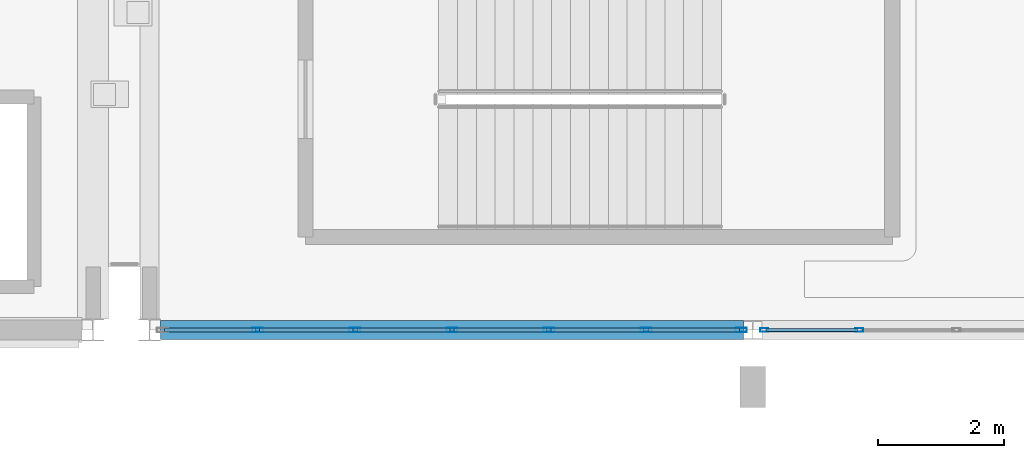
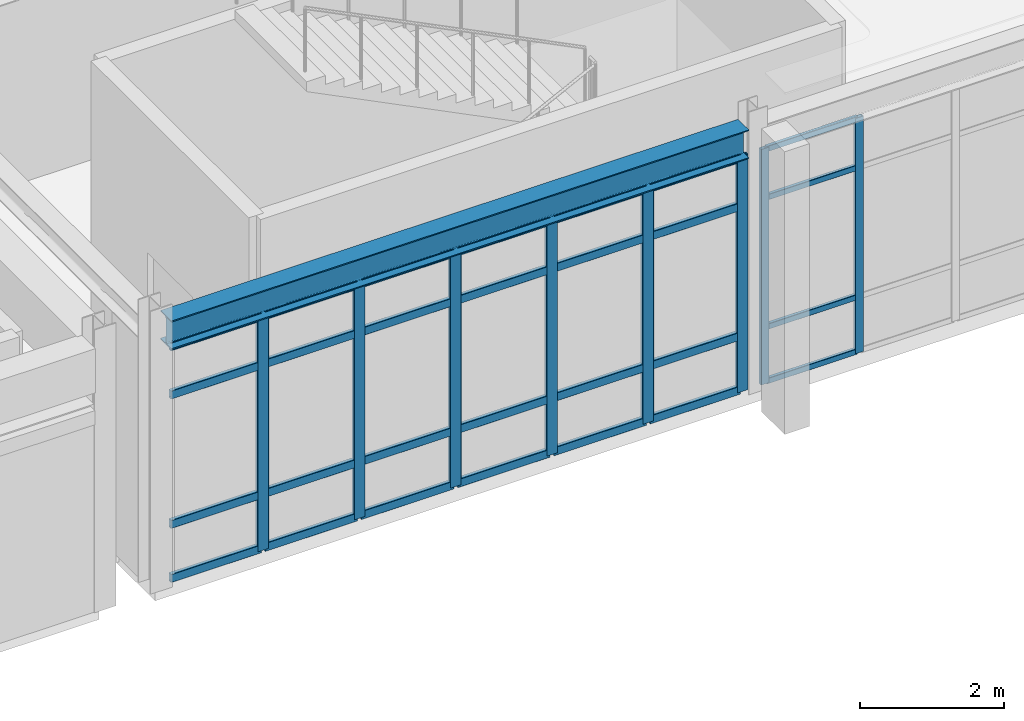
# One storey, part 30 of 139: 36 members, 1 beam, 2 elements without a shape of their own.
"""IFC4 building model written with IfcOpenShell, lengths in metres."""

from ifc_helpers import new_model, si_unit, direction, frame, origin, origin_2d, place, context, subcontext, project, spatial, hollow_rectangle, i_section, extrude, material, material_profile, profile_set, type_object, element, aggregate, save


model = new_model("IFC4")

# Units and contexts
model_context = context("Model", 3, precision=1e-05, world=origin(), true_north=direction((0.0, 1.0)))
body_context = subcontext(model_context, "Body", "Model", "MODEL_VIEW")
ifc_project = project(units=[si_unit("LENGTHUNIT", "METRE"), si_unit("AREAUNIT", "SQUARE_METRE"), si_unit("VOLUMEUNIT", "CUBIC_METRE"), si_unit("PLANEANGLEUNIT", "RADIAN"), si_unit("MASSUNIT", "GRAM", prefix="KILO")], contexts=[model_context])

# Site, building, storey
site_placement = place(None, origin())
site = spatial("IfcSite", under=ifc_project, at=site_placement, CompositionType="ELEMENT")
building_placement = place(site_placement, origin())
building = spatial("IfcBuilding", under=site, at=building_placement, Name="Canglan Escarpment Cableway Terminal", CompositionType="ELEMENT")
storey_placement = place(building_placement, frame((0.0, 0.0, 14.39990234375)))
storey = spatial("IfcBuildingStorey", under=building, at=storey_placement, Name="L03", CompositionType="ELEMENT", Elevation=14.39990234375)

# Beam
ifc_material_1 = material(Name="Steel Q355B", Category="steel")
ifc_material_profile_1 = material_profile(ifc_material_1, i_section(OverallWidth=0.300048828125, OverallDepth=0.488037109375, WebThickness=0.010986328125, FlangeThickness=0.01806640625, FilletRadius=0.02587890625, at=origin_2d()), Name="HM 488x300x11x18")
ifc_profile_set_1 = profile_set([ifc_material_profile_1], Name="Steel Q355B")
beam_type = type_object("IfcBeamType", Name="BM-HM488", PredefinedType="BEAM", material=ifc_profile_set_1)
beam_placement = place(storey_placement, frame((147.375, 8.0, 4.256103515625), z_axis=(1.0, 0.0, 0.0), x_axis=(0.0, 1.0, 0.0)))
element("IfcBeam", 1, at=beam_placement, inside=storey, type_object=beam_type, Name="Primary structural girder B-09", PredefinedType="BEAM", context=body_context, shape_type="SweptSolid", body=[
    extrude(i_section(OverallWidth=0.300048828125, OverallDepth=0.488037109375, WebThickness=0.010986328125, FlangeThickness=0.01806640625, FilletRadius=0.02587890625, at=origin_2d()), origin(), (0.0, 0.0, 1.0), 9.27490234375),
])

# Curtain wall, members
ifc_material_2 = material(Name="Anodized bronze aluminium and Low-E double glazing", Category="aluminium")
curtain_wall_type = type_object("IfcCurtainWallType", Name="CW-BAY-9275x4000", PredefinedType="NOTDEFINED", material=ifc_material_2)
curtain_wall_1_placement = place(storey_placement, origin())
curtain_wall_1 = element("IfcCurtainWall", 2, at=curtain_wall_1_placement, inside=storey, type_object=curtain_wall_type, Name="Classical bay-between-piers glazed curtain wall CW-29", PredefinedType="NOTDEFINED")
ifc_material_3 = material(Name="Thermally broken anodized aluminium 6063-T6", Category="aluminium")
ifc_material_profile_2 = material_profile(ifc_material_3, hollow_rectangle(XDim=0.06005859375, YDim=0.1298828125, WallThickness=0.0029296875, InnerFilletRadius=0.0029296875, OuterFilletRadius=0.006103515625, at=origin_2d()), Name="ALU-MULL 60x130x3")
ifc_profile_set_2 = profile_set([ifc_material_profile_2], Name="Thermally broken anodized aluminium 6063-T6")
member_type_1 = type_object("IfcMemberType", Name="CWM-01", PredefinedType="MULLION", material=ifc_profile_set_2)
member_1_placement = place(storey_placement, frame((156.97998046875, 8.0, 0.0), z_axis=(0.0, 0.0, 1.0), x_axis=(0.0, 1.0, 0.0)))
member_1 = element("IfcMember", 3, at=member_1_placement, type_object=member_type_1, Name="CW-29 mullion 1", PredefinedType="MULLION", context=body_context, shape_type="SweptSolid", body=[
    extrude(hollow_rectangle(XDim=0.06005859375, YDim=0.1298828125, WallThickness=0.0029296875, InnerFilletRadius=0.0029296875, OuterFilletRadius=0.006103515625, at=origin_2d()), origin(), (0.0, 0.0, 1.0), 3.9970703125),
])
member_2_placement = place(storey_placement, frame((158.495849609375, 8.0, 0.0), z_axis=(0.0, 0.0, 1.0), x_axis=(0.0, 1.0, 0.0)))
member_2 = element("IfcMember", 4, at=member_2_placement, type_object=member_type_1, Name="CW-29 mullion 2", PredefinedType="MULLION", context=body_context, shape_type="SweptSolid", body=[
    extrude(hollow_rectangle(XDim=0.06005859375, YDim=0.1298828125, WallThickness=0.0029296875, InnerFilletRadius=0.0029296875, OuterFilletRadius=0.006103515625, at=origin_2d()), origin(), (0.0, 0.0, 1.0), 3.9970703125),
])

curtain_wall_2_placement = place(storey_placement, origin())
curtain_wall_2 = element("IfcCurtainWall", 5, at=curtain_wall_2_placement, inside=storey, type_object=curtain_wall_type, Name="Classical bay-between-piers glazed curtain wall CW-29", PredefinedType="NOTDEFINED")
ifc_material_profile_3 = material_profile(ifc_material_3, hollow_rectangle(XDim=0.06494140625, YDim=0.179931640625, WallThickness=0.00390625, InnerFilletRadius=0.00390625, OuterFilletRadius=0.008056640625, at=origin_2d()), Name="ALU-MULL 65x180x4")
ifc_profile_set_3 = profile_set([ifc_material_profile_3], Name="Thermally broken anodized aluminium 6063-T6")
member_type_2 = type_object("IfcMemberType", Name="CWM-03", PredefinedType="MULLION", material=ifc_profile_set_3)
member_3_placement = place(storey_placement, frame((148.9208984375, 8.0, 0.0), z_axis=(0.0, 0.0, 1.0), x_axis=(0.0, 1.0, 0.0)))
member_3 = element("IfcMember", 6, at=member_3_placement, type_object=member_type_2, Name="CW-29 mullion 2", PredefinedType="MULLION", context=body_context, shape_type="SweptSolid", body=[
    extrude(hollow_rectangle(XDim=0.06494140625, YDim=0.179931640625, WallThickness=0.00390625, InnerFilletRadius=0.00390625, OuterFilletRadius=0.008056640625, at=origin_2d()), origin(), (0.0, 0.0, 1.0), 3.9970703125),
])
member_4_placement = place(storey_placement, frame((150.466552734375, 8.0, 0.0), z_axis=(0.0, 0.0, 1.0), x_axis=(0.0, 1.0, 0.0)))
member_4 = element("IfcMember", 7, at=member_4_placement, type_object=member_type_2, Name="CW-29 mullion 3", PredefinedType="MULLION", context=body_context, shape_type="SweptSolid", body=[
    extrude(hollow_rectangle(XDim=0.06494140625, YDim=0.179931640625, WallThickness=0.00390625, InnerFilletRadius=0.00390625, OuterFilletRadius=0.008056640625, at=origin_2d()), origin(), (0.0, 0.0, 1.0), 3.9970703125),
])
member_5_placement = place(storey_placement, frame((152.012451171875, 8.0, 0.0), z_axis=(0.0, 0.0, 1.0), x_axis=(0.0, 1.0, 0.0)))
member_5 = element("IfcMember", 8, at=member_5_placement, type_object=member_type_2, Name="CW-29 mullion 4", PredefinedType="MULLION", context=body_context, shape_type="SweptSolid", body=[
    extrude(hollow_rectangle(XDim=0.06494140625, YDim=0.179931640625, WallThickness=0.00390625, InnerFilletRadius=0.00390625, OuterFilletRadius=0.008056640625, at=origin_2d()), origin(), (0.0, 0.0, 1.0), 3.9970703125),
])
member_6_placement = place(storey_placement, frame((153.558349609375, 8.0, 0.0), z_axis=(0.0, 0.0, 1.0), x_axis=(0.0, 1.0, 0.0)))
member_6 = element("IfcMember", 9, at=member_6_placement, type_object=member_type_2, Name="CW-29 mullion 5", PredefinedType="MULLION", context=body_context, shape_type="SweptSolid", body=[
    extrude(hollow_rectangle(XDim=0.06494140625, YDim=0.179931640625, WallThickness=0.00390625, InnerFilletRadius=0.00390625, OuterFilletRadius=0.008056640625, at=origin_2d()), origin(), (0.0, 0.0, 1.0), 3.9970703125),
])
member_7_placement = place(storey_placement, frame((155.104248046875, 8.0, 0.0), z_axis=(0.0, 0.0, 1.0), x_axis=(0.0, 1.0, 0.0)))
member_7 = element("IfcMember", 10, at=member_7_placement, type_object=member_type_2, Name="CW-29 mullion 6", PredefinedType="MULLION", context=body_context, shape_type="SweptSolid", body=[
    extrude(hollow_rectangle(XDim=0.06494140625, YDim=0.179931640625, WallThickness=0.00390625, InnerFilletRadius=0.00390625, OuterFilletRadius=0.008056640625, at=origin_2d()), origin(), (0.0, 0.0, 1.0), 3.9970703125),
])
member_8_placement = place(storey_placement, frame((156.617431640625, 8.0, 0.0), z_axis=(0.0, 0.0, 1.0), x_axis=(0.0, 1.0, 0.0)))
member_8 = element("IfcMember", 11, at=member_8_placement, type_object=member_type_2, Name="CW-29 mullion 7", PredefinedType="MULLION", context=body_context, shape_type="SweptSolid", body=[
    extrude(hollow_rectangle(XDim=0.06494140625, YDim=0.179931640625, WallThickness=0.00390625, InnerFilletRadius=0.00390625, OuterFilletRadius=0.008056640625, at=origin_2d()), origin(), (0.0, 0.0, 1.0), 3.9970703125),
])

# Member
ifc_material_profile_4 = material_profile(ifc_material_3, hollow_rectangle(XDim=0.054931640625, YDim=0.094970703125, WallThickness=0.0029296875, InnerFilletRadius=0.0029296875, OuterFilletRadius=0.006103515625, at=origin_2d()), Name="ALU-TRAN 55x95x3")
ifc_profile_set_4 = profile_set([ifc_material_profile_4], Name="Thermally broken anodized aluminium 6063-T6")
member_type_3 = type_object("IfcMemberType", Name="CWT-01", PredefinedType="USERDEFINED", material=ifc_profile_set_4)
member_9_placement = place(storey_placement, frame((157.010009765625, 8.0, 0.027587890625), z_axis=(1.0, 0.0, 0.0), x_axis=(0.0, 1.0, 0.0)))
member_9 = element("IfcMember", 12, at=member_9_placement, type_object=member_type_3, Name="CW-29 transom 1.1", ObjectType="TRANSOM", PredefinedType="USERDEFINED", context=body_context, shape_type="SweptSolid", body=[
    extrude(hollow_rectangle(XDim=0.054931640625, YDim=0.094970703125, WallThickness=0.0029296875, InnerFilletRadius=0.0029296875, OuterFilletRadius=0.006103515625, at=origin_2d()), origin(), (0.0, 0.0, 1.0), 1.455810546875),
])

member_10_placement = place(storey_placement, frame((157.010009765625, 8.0, 0.9501953125), z_axis=(1.0, 0.0, 0.0), x_axis=(0.0, 1.0, 0.0)))
member_10 = element("IfcMember", 13, at=member_10_placement, type_object=member_type_3, Name="CW-29 transom 1.2", ObjectType="TRANSOM", PredefinedType="USERDEFINED", context=body_context, shape_type="SweptSolid", body=[
    extrude(hollow_rectangle(XDim=0.054931640625, YDim=0.094970703125, WallThickness=0.0029296875, InnerFilletRadius=0.0029296875, OuterFilletRadius=0.006103515625, at=origin_2d()), origin(), (0.0, 0.0, 1.0), 1.455810546875),
])

member_11_placement = place(storey_placement, frame((157.010009765625, 8.0, 3.147216796875), z_axis=(1.0, 0.0, 0.0), x_axis=(0.0, 1.0, 0.0)))
member_11 = element("IfcMember", 14, at=member_11_placement, type_object=member_type_3, Name="CW-29 transom 1.3", ObjectType="TRANSOM", PredefinedType="USERDEFINED", context=body_context, shape_type="SweptSolid", body=[
    extrude(hollow_rectangle(XDim=0.054931640625, YDim=0.094970703125, WallThickness=0.0029296875, InnerFilletRadius=0.0029296875, OuterFilletRadius=0.006103515625, at=origin_2d()), origin(), (0.0, 0.0, 1.0), 1.455810546875),
])

member_12_placement = place(storey_placement, frame((157.010009765625, 8.0, 3.969482421875), z_axis=(1.0, 0.0, 0.0), x_axis=(0.0, 1.0, 0.0)))
member_12 = element("IfcMember", 15, at=member_12_placement, type_object=member_type_3, Name="CW-29 transom 1.4", ObjectType="TRANSOM", PredefinedType="USERDEFINED", context=body_context, shape_type="SweptSolid", body=[
    extrude(hollow_rectangle(XDim=0.054931640625, YDim=0.094970703125, WallThickness=0.0029296875, InnerFilletRadius=0.0029296875, OuterFilletRadius=0.006103515625, at=origin_2d()), origin(), (0.0, 0.0, 1.0), 1.455810546875),
])

aggregate(curtain_wall_1, [member_1, member_2, member_9, member_10, member_11, member_12])

ifc_material_profile_5 = material_profile(ifc_material_3, hollow_rectangle(XDim=0.06494140625, YDim=0.139892578125, WallThickness=0.00341796875, InnerFilletRadius=0.00341796875, OuterFilletRadius=0.007080078125, at=origin_2d()), Name="ALU-TRAN 65x140x3.5")
ifc_profile_set_5 = profile_set([ifc_material_profile_5], Name="Thermally broken anodized aluminium 6063-T6")
member_type_4 = type_object("IfcMemberType", Name="CWT-03", PredefinedType="USERDEFINED", material=ifc_profile_set_5)
member_13_placement = place(storey_placement, frame((147.43994140625, 8.0, 0.03271484375), z_axis=(1.0, 0.0, 0.0), x_axis=(0.0, 1.0, 0.0)))
member_13 = element("IfcMember", 16, at=member_13_placement, type_object=member_type_4, Name="CW-29 transom 1.1", ObjectType="TRANSOM", PredefinedType="USERDEFINED", context=body_context, shape_type="SweptSolid", body=[
    extrude(hollow_rectangle(XDim=0.06494140625, YDim=0.139892578125, WallThickness=0.00341796875, InnerFilletRadius=0.00341796875, OuterFilletRadius=0.007080078125, at=origin_2d()), origin(), (0.0, 0.0, 1.0), 1.448486328125),
])

member_14_placement = place(storey_placement, frame((147.43994140625, 8.0, 0.9501953125), z_axis=(1.0, 0.0, 0.0), x_axis=(0.0, 1.0, 0.0)))
member_14 = element("IfcMember", 17, at=member_14_placement, type_object=member_type_4, Name="CW-29 transom 1.2", ObjectType="TRANSOM", PredefinedType="USERDEFINED", context=body_context, shape_type="SweptSolid", body=[
    extrude(hollow_rectangle(XDim=0.06494140625, YDim=0.139892578125, WallThickness=0.00341796875, InnerFilletRadius=0.00341796875, OuterFilletRadius=0.007080078125, at=origin_2d()), origin(), (0.0, 0.0, 1.0), 1.448486328125),
])

member_15_placement = place(storey_placement, frame((147.43994140625, 8.0, 3.147216796875), z_axis=(1.0, 0.0, 0.0), x_axis=(0.0, 1.0, 0.0)))
member_15 = element("IfcMember", 18, at=member_15_placement, type_object=member_type_4, Name="CW-29 transom 1.3", ObjectType="TRANSOM", PredefinedType="USERDEFINED", context=body_context, shape_type="SweptSolid", body=[
    extrude(hollow_rectangle(XDim=0.06494140625, YDim=0.139892578125, WallThickness=0.00341796875, InnerFilletRadius=0.00341796875, OuterFilletRadius=0.007080078125, at=origin_2d()), origin(), (0.0, 0.0, 1.0), 1.448486328125),
])

member_16_placement = place(storey_placement, frame((147.43994140625, 8.0, 3.964599609375), z_axis=(1.0, 0.0, 0.0), x_axis=(0.0, 1.0, 0.0)))
member_16 = element("IfcMember", 19, at=member_16_placement, type_object=member_type_4, Name="CW-29 transom 1.4", ObjectType="TRANSOM", PredefinedType="USERDEFINED", context=body_context, shape_type="SweptSolid", body=[
    extrude(hollow_rectangle(XDim=0.06494140625, YDim=0.139892578125, WallThickness=0.00341796875, InnerFilletRadius=0.00341796875, OuterFilletRadius=0.007080078125, at=origin_2d()), origin(), (0.0, 0.0, 1.0), 1.448486328125),
])

member_17_placement = place(storey_placement, frame((148.953369140625, 8.0, 0.03271484375), z_axis=(1.0, 0.0, 0.0), x_axis=(0.0, 1.0, 0.0)))
member_17 = element("IfcMember", 20, at=member_17_placement, type_object=member_type_4, Name="CW-29 transom 2.1", ObjectType="TRANSOM", PredefinedType="USERDEFINED", context=body_context, shape_type="SweptSolid", body=[
    extrude(hollow_rectangle(XDim=0.06494140625, YDim=0.139892578125, WallThickness=0.00341796875, InnerFilletRadius=0.00341796875, OuterFilletRadius=0.007080078125, at=origin_2d()), origin(), (0.0, 0.0, 1.0), 1.480712890625),
])

member_18_placement = place(storey_placement, frame((148.953369140625, 8.0, 0.9501953125), z_axis=(1.0, 0.0, 0.0), x_axis=(0.0, 1.0, 0.0)))
member_18 = element("IfcMember", 21, at=member_18_placement, type_object=member_type_4, Name="CW-29 transom 2.2", ObjectType="TRANSOM", PredefinedType="USERDEFINED", context=body_context, shape_type="SweptSolid", body=[
    extrude(hollow_rectangle(XDim=0.06494140625, YDim=0.139892578125, WallThickness=0.00341796875, InnerFilletRadius=0.00341796875, OuterFilletRadius=0.007080078125, at=origin_2d()), origin(), (0.0, 0.0, 1.0), 1.480712890625),
])

member_19_placement = place(storey_placement, frame((148.953369140625, 8.0, 3.147216796875), z_axis=(1.0, 0.0, 0.0), x_axis=(0.0, 1.0, 0.0)))
member_19 = element("IfcMember", 22, at=member_19_placement, type_object=member_type_4, Name="CW-29 transom 2.3", ObjectType="TRANSOM", PredefinedType="USERDEFINED", context=body_context, shape_type="SweptSolid", body=[
    extrude(hollow_rectangle(XDim=0.06494140625, YDim=0.139892578125, WallThickness=0.00341796875, InnerFilletRadius=0.00341796875, OuterFilletRadius=0.007080078125, at=origin_2d()), origin(), (0.0, 0.0, 1.0), 1.480712890625),
])

member_20_placement = place(storey_placement, frame((148.953369140625, 8.0, 3.964599609375), z_axis=(1.0, 0.0, 0.0), x_axis=(0.0, 1.0, 0.0)))
member_20 = element("IfcMember", 23, at=member_20_placement, type_object=member_type_4, Name="CW-29 transom 2.4", ObjectType="TRANSOM", PredefinedType="USERDEFINED", context=body_context, shape_type="SweptSolid", body=[
    extrude(hollow_rectangle(XDim=0.06494140625, YDim=0.139892578125, WallThickness=0.00341796875, InnerFilletRadius=0.00341796875, OuterFilletRadius=0.007080078125, at=origin_2d()), origin(), (0.0, 0.0, 1.0), 1.480712890625),
])

member_21_placement = place(storey_placement, frame((150.499267578125, 8.0, 0.03271484375), z_axis=(1.0, 0.0, 0.0), x_axis=(0.0, 1.0, 0.0)))
member_21 = element("IfcMember", 24, at=member_21_placement, type_object=member_type_4, Name="CW-29 transom 3.1", ObjectType="TRANSOM", PredefinedType="USERDEFINED", context=body_context, shape_type="SweptSolid", body=[
    extrude(hollow_rectangle(XDim=0.06494140625, YDim=0.139892578125, WallThickness=0.00341796875, InnerFilletRadius=0.00341796875, OuterFilletRadius=0.007080078125, at=origin_2d()), origin(), (0.0, 0.0, 1.0), 1.480712890625),
])

member_22_placement = place(storey_placement, frame((150.499267578125, 8.0, 0.9501953125), z_axis=(1.0, 0.0, 0.0), x_axis=(0.0, 1.0, 0.0)))
member_22 = element("IfcMember", 25, at=member_22_placement, type_object=member_type_4, Name="CW-29 transom 3.2", ObjectType="TRANSOM", PredefinedType="USERDEFINED", context=body_context, shape_type="SweptSolid", body=[
    extrude(hollow_rectangle(XDim=0.06494140625, YDim=0.139892578125, WallThickness=0.00341796875, InnerFilletRadius=0.00341796875, OuterFilletRadius=0.007080078125, at=origin_2d()), origin(), (0.0, 0.0, 1.0), 1.480712890625),
])

member_23_placement = place(storey_placement, frame((150.499267578125, 8.0, 3.147216796875), z_axis=(1.0, 0.0, 0.0), x_axis=(0.0, 1.0, 0.0)))
member_23 = element("IfcMember", 26, at=member_23_placement, type_object=member_type_4, Name="CW-29 transom 3.3", ObjectType="TRANSOM", PredefinedType="USERDEFINED", context=body_context, shape_type="SweptSolid", body=[
    extrude(hollow_rectangle(XDim=0.06494140625, YDim=0.139892578125, WallThickness=0.00341796875, InnerFilletRadius=0.00341796875, OuterFilletRadius=0.007080078125, at=origin_2d()), origin(), (0.0, 0.0, 1.0), 1.480712890625),
])

member_24_placement = place(storey_placement, frame((150.499267578125, 8.0, 3.964599609375), z_axis=(1.0, 0.0, 0.0), x_axis=(0.0, 1.0, 0.0)))
member_24 = element("IfcMember", 27, at=member_24_placement, type_object=member_type_4, Name="CW-29 transom 3.4", ObjectType="TRANSOM", PredefinedType="USERDEFINED", context=body_context, shape_type="SweptSolid", body=[
    extrude(hollow_rectangle(XDim=0.06494140625, YDim=0.139892578125, WallThickness=0.00341796875, InnerFilletRadius=0.00341796875, OuterFilletRadius=0.007080078125, at=origin_2d()), origin(), (0.0, 0.0, 1.0), 1.480712890625),
])

member_25_placement = place(storey_placement, frame((152.044921875, 8.0, 0.03271484375), z_axis=(1.0, 0.0, 0.0), x_axis=(0.0, 1.0, 0.0)))
member_25 = element("IfcMember", 28, at=member_25_placement, type_object=member_type_4, Name="CW-29 transom 4.1", ObjectType="TRANSOM", PredefinedType="USERDEFINED", context=body_context, shape_type="SweptSolid", body=[
    extrude(hollow_rectangle(XDim=0.06494140625, YDim=0.139892578125, WallThickness=0.00341796875, InnerFilletRadius=0.00341796875, OuterFilletRadius=0.007080078125, at=origin_2d()), origin(), (0.0, 0.0, 1.0), 1.48095703125),
])

member_26_placement = place(storey_placement, frame((152.044921875, 8.0, 0.9501953125), z_axis=(1.0, 0.0, 0.0), x_axis=(0.0, 1.0, 0.0)))
member_26 = element("IfcMember", 29, at=member_26_placement, type_object=member_type_4, Name="CW-29 transom 4.2", ObjectType="TRANSOM", PredefinedType="USERDEFINED", context=body_context, shape_type="SweptSolid", body=[
    extrude(hollow_rectangle(XDim=0.06494140625, YDim=0.139892578125, WallThickness=0.00341796875, InnerFilletRadius=0.00341796875, OuterFilletRadius=0.007080078125, at=origin_2d()), origin(), (0.0, 0.0, 1.0), 1.48095703125),
])

member_27_placement = place(storey_placement, frame((152.044921875, 8.0, 3.147216796875), z_axis=(1.0, 0.0, 0.0), x_axis=(0.0, 1.0, 0.0)))
member_27 = element("IfcMember", 30, at=member_27_placement, type_object=member_type_4, Name="CW-29 transom 4.3", ObjectType="TRANSOM", PredefinedType="USERDEFINED", context=body_context, shape_type="SweptSolid", body=[
    extrude(hollow_rectangle(XDim=0.06494140625, YDim=0.139892578125, WallThickness=0.00341796875, InnerFilletRadius=0.00341796875, OuterFilletRadius=0.007080078125, at=origin_2d()), origin(), (0.0, 0.0, 1.0), 1.48095703125),
])

member_28_placement = place(storey_placement, frame((152.044921875, 8.0, 3.964599609375), z_axis=(1.0, 0.0, 0.0), x_axis=(0.0, 1.0, 0.0)))
member_28 = element("IfcMember", 31, at=member_28_placement, type_object=member_type_4, Name="CW-29 transom 4.4", ObjectType="TRANSOM", PredefinedType="USERDEFINED", context=body_context, shape_type="SweptSolid", body=[
    extrude(hollow_rectangle(XDim=0.06494140625, YDim=0.139892578125, WallThickness=0.00341796875, InnerFilletRadius=0.00341796875, OuterFilletRadius=0.007080078125, at=origin_2d()), origin(), (0.0, 0.0, 1.0), 1.48095703125),
])

member_29_placement = place(storey_placement, frame((153.5908203125, 8.0, 0.03271484375), z_axis=(1.0, 0.0, 0.0), x_axis=(0.0, 1.0, 0.0)))
member_29 = element("IfcMember", 32, at=member_29_placement, type_object=member_type_4, Name="CW-29 transom 5.1", ObjectType="TRANSOM", PredefinedType="USERDEFINED", context=body_context, shape_type="SweptSolid", body=[
    extrude(hollow_rectangle(XDim=0.06494140625, YDim=0.139892578125, WallThickness=0.00341796875, InnerFilletRadius=0.00341796875, OuterFilletRadius=0.007080078125, at=origin_2d()), origin(), (0.0, 0.0, 1.0), 1.48095703125),
])

member_30_placement = place(storey_placement, frame((153.5908203125, 8.0, 0.9501953125), z_axis=(1.0, 0.0, 0.0), x_axis=(0.0, 1.0, 0.0)))
member_30 = element("IfcMember", 33, at=member_30_placement, type_object=member_type_4, Name="CW-29 transom 5.2", ObjectType="TRANSOM", PredefinedType="USERDEFINED", context=body_context, shape_type="SweptSolid", body=[
    extrude(hollow_rectangle(XDim=0.06494140625, YDim=0.139892578125, WallThickness=0.00341796875, InnerFilletRadius=0.00341796875, OuterFilletRadius=0.007080078125, at=origin_2d()), origin(), (0.0, 0.0, 1.0), 1.48095703125),
])

member_31_placement = place(storey_placement, frame((153.5908203125, 8.0, 3.147216796875), z_axis=(1.0, 0.0, 0.0), x_axis=(0.0, 1.0, 0.0)))
member_31 = element("IfcMember", 34, at=member_31_placement, type_object=member_type_4, Name="CW-29 transom 5.3", ObjectType="TRANSOM", PredefinedType="USERDEFINED", context=body_context, shape_type="SweptSolid", body=[
    extrude(hollow_rectangle(XDim=0.06494140625, YDim=0.139892578125, WallThickness=0.00341796875, InnerFilletRadius=0.00341796875, OuterFilletRadius=0.007080078125, at=origin_2d()), origin(), (0.0, 0.0, 1.0), 1.48095703125),
])

member_32_placement = place(storey_placement, frame((153.5908203125, 8.0, 3.964599609375), z_axis=(1.0, 0.0, 0.0), x_axis=(0.0, 1.0, 0.0)))
member_32 = element("IfcMember", 35, at=member_32_placement, type_object=member_type_4, Name="CW-29 transom 5.4", ObjectType="TRANSOM", PredefinedType="USERDEFINED", context=body_context, shape_type="SweptSolid", body=[
    extrude(hollow_rectangle(XDim=0.06494140625, YDim=0.139892578125, WallThickness=0.00341796875, InnerFilletRadius=0.00341796875, OuterFilletRadius=0.007080078125, at=origin_2d()), origin(), (0.0, 0.0, 1.0), 1.48095703125),
])

member_33_placement = place(storey_placement, frame((155.13671875, 8.0, 0.03271484375), z_axis=(1.0, 0.0, 0.0), x_axis=(0.0, 1.0, 0.0)))
member_33 = element("IfcMember", 36, at=member_33_placement, type_object=member_type_4, Name="CW-29 transom 6.1", ObjectType="TRANSOM", PredefinedType="USERDEFINED", context=body_context, shape_type="SweptSolid", body=[
    extrude(hollow_rectangle(XDim=0.06494140625, YDim=0.139892578125, WallThickness=0.00341796875, InnerFilletRadius=0.00341796875, OuterFilletRadius=0.007080078125, at=origin_2d()), origin(), (0.0, 0.0, 1.0), 1.4482421875),
])

member_34_placement = place(storey_placement, frame((155.13671875, 8.0, 0.9501953125), z_axis=(1.0, 0.0, 0.0), x_axis=(0.0, 1.0, 0.0)))
member_34 = element("IfcMember", 37, at=member_34_placement, type_object=member_type_4, Name="CW-29 transom 6.2", ObjectType="TRANSOM", PredefinedType="USERDEFINED", context=body_context, shape_type="SweptSolid", body=[
    extrude(hollow_rectangle(XDim=0.06494140625, YDim=0.139892578125, WallThickness=0.00341796875, InnerFilletRadius=0.00341796875, OuterFilletRadius=0.007080078125, at=origin_2d()), origin(), (0.0, 0.0, 1.0), 1.4482421875),
])

member_35_placement = place(storey_placement, frame((155.13671875, 8.0, 3.147216796875), z_axis=(1.0, 0.0, 0.0), x_axis=(0.0, 1.0, 0.0)))
member_35 = element("IfcMember", 38, at=member_35_placement, type_object=member_type_4, Name="CW-29 transom 6.3", ObjectType="TRANSOM", PredefinedType="USERDEFINED", context=body_context, shape_type="SweptSolid", body=[
    extrude(hollow_rectangle(XDim=0.06494140625, YDim=0.139892578125, WallThickness=0.00341796875, InnerFilletRadius=0.00341796875, OuterFilletRadius=0.007080078125, at=origin_2d()), origin(), (0.0, 0.0, 1.0), 1.4482421875),
])

member_36_placement = place(storey_placement, frame((155.13671875, 8.0, 3.964599609375), z_axis=(1.0, 0.0, 0.0), x_axis=(0.0, 1.0, 0.0)))
member_36 = element("IfcMember", 39, at=member_36_placement, type_object=member_type_4, Name="CW-29 transom 6.4", ObjectType="TRANSOM", PredefinedType="USERDEFINED", context=body_context, shape_type="SweptSolid", body=[
    extrude(hollow_rectangle(XDim=0.06494140625, YDim=0.139892578125, WallThickness=0.00341796875, InnerFilletRadius=0.00341796875, OuterFilletRadius=0.007080078125, at=origin_2d()), origin(), (0.0, 0.0, 1.0), 1.4482421875),
])

aggregate(curtain_wall_2, [member_3, member_4, member_5, member_6, member_7, member_8, member_13, member_14, member_15, member_16, member_17, member_18, member_19, member_20, member_21, member_22, member_23, member_24, member_25, member_26, member_27, member_28, member_29, member_30, member_31, member_32, member_33, member_34, member_35, member_36])

save(model, "model.ifc")
